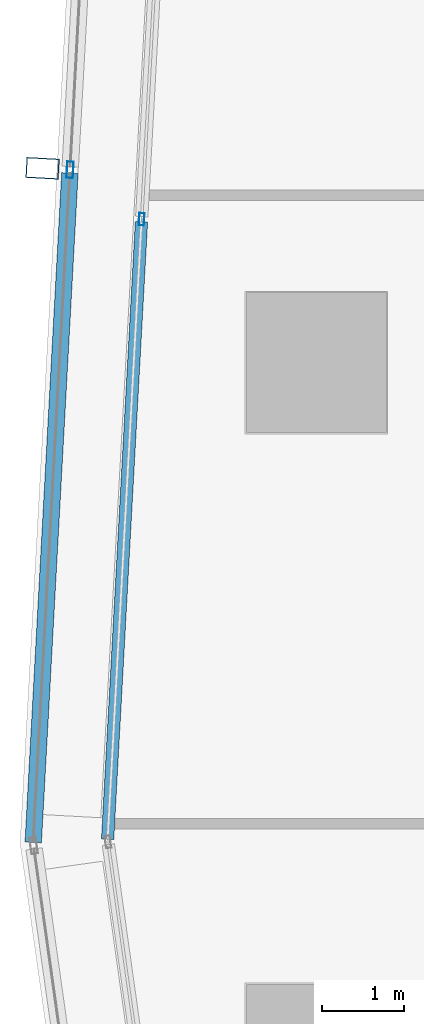
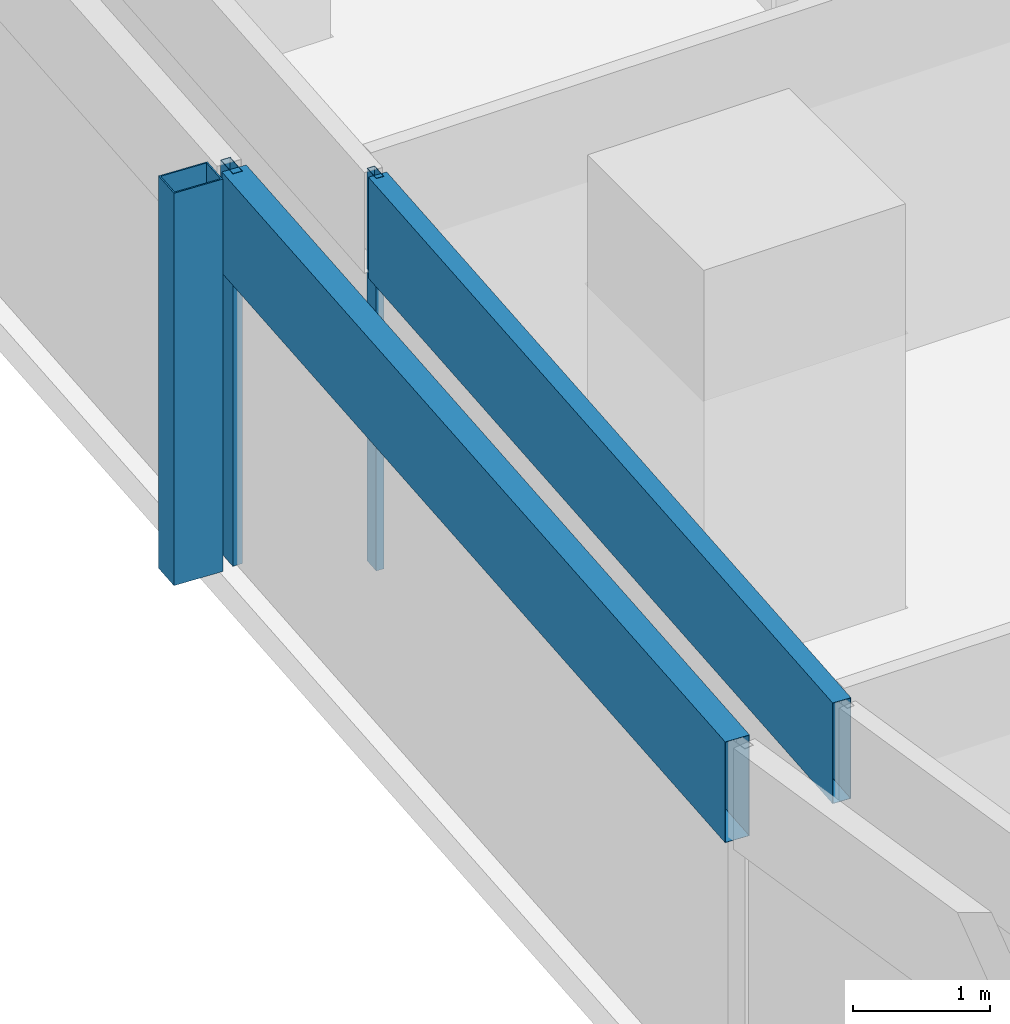
# One storey, part 7 of 40: 5 members, 2 elements without a shape of their own.
"""IFC4 building model written with IfcOpenShell, lengths in metres."""

from ifc_helpers import new_model, si_unit, direction, frame, origin, origin_2d, place, context, subcontext, project, spatial, hollow_rectangle, extrude, material, material_profile, profile_set, type_object, element, aggregate, save


model = new_model("IFC4")

# Units and contexts
model_context = context("Model", 3, precision=1e-05, world=origin(), true_north=direction((0.0, 1.0)))
body_context = subcontext(model_context, "Body", "Model", "MODEL_VIEW")
ifc_project = project(units=[si_unit("LENGTHUNIT", "METRE"), si_unit("AREAUNIT", "SQUARE_METRE"), si_unit("VOLUMEUNIT", "CUBIC_METRE"), si_unit("PLANEANGLEUNIT", "RADIAN"), si_unit("MASSUNIT", "GRAM", prefix="KILO")], contexts=[model_context])

# Site, building, storey
site_placement = place(None, origin())
site = spatial("IfcSite", under=ifc_project, at=site_placement, CompositionType="ELEMENT")
building_placement = place(site_placement, origin())
building = spatial("IfcBuilding", under=site, at=building_placement, Name="Rekha Terrace Tower", CompositionType="ELEMENT")
storey_placement = place(building_placement, frame((0.0, 0.0, 140.300048828125)))
storey = spatial("IfcBuildingStorey", under=building, at=storey_placement, Name="L35", CompositionType="ELEMENT", Elevation=140.300048828125)

# Curtain wall, member
ifc_material_1 = material(Name="Aluminium framing", Category="aluminium")
curtain_wall_type_1 = type_object("IfcCurtainWallType", Name="CW2 double skin outer glazing", PredefinedType="USERDEFINED", material=ifc_material_1)
curtain_wall_1_placement = place(storey_placement, origin())
curtain_wall_1 = element("IfcCurtainWall", 1, at=curtain_wall_1_placement, inside=storey, type_object=curtain_wall_type_1, Name="CW2 double skin outer glazing", ObjectType="DOUBLE SKIN OUTER GLAZING", PredefinedType="USERDEFINED")
ifc_material_2 = material(Name="Steel S355 with fluorocarbon finish", Category="steel")
ifc_material_profile_1 = material_profile(ifc_material_2, hollow_rectangle(XDim=0.25, YDim=0.39990234375, WallThickness=0.012451171875, at=origin_2d()), Name="RHS400x250x12.5")
ifc_profile_set_1 = profile_set([ifc_material_profile_1], Name="Steel S355 with fluorocarbon finish")
member_type_1 = type_object("IfcMemberType", Name="BL1 facade blade RHS 400 x 250", PredefinedType="USERDEFINED", material=ifc_profile_set_1)
member_1_placement = place(storey_placement, frame((5.073974609375, 35.9609375, 0.0), z_axis=(0.0, 0.0, 1.0), x_axis=(-0.054742798353, -0.998500488747, 0.0)))
member_1 = element("IfcMember", 2, at=member_1_placement, type_object=member_type_1, Name="Facade blade", ObjectType="FACADE BLADE", PredefinedType="USERDEFINED", context=body_context, shape_type="SweptSolid", body=[
    extrude(hollow_rectangle(XDim=0.25, YDim=0.39990234375, WallThickness=0.012451171875, at=origin_2d()), origin(), (0.0, 0.0, 1.0), 3.5),
])

# Curtain wall, members
curtain_wall_type_2 = type_object("IfcCurtainWallType", Name="CW1 double skin inner glazing", PredefinedType="USERDEFINED", material=ifc_material_1)
curtain_wall_2_placement = place(storey_placement, origin())
curtain_wall_2 = element("IfcCurtainWall", 3, at=curtain_wall_2_placement, inside=storey, type_object=curtain_wall_type_2, Name="CW1 double skin inner glazing", ObjectType="DOUBLE SKIN INNER GLAZING", PredefinedType="USERDEFINED")
ifc_material_3 = material(Name="Aluminium mullion section", Category="aluminium")
ifc_material_profile_2 = material_profile(ifc_material_3, hollow_rectangle(XDim=0.06494140625, YDim=0.14990234375, WallThickness=0.00390625, at=origin_2d()), Name="AL RHS 65x150")
ifc_profile_set_2 = profile_set([ifc_material_profile_2], Name="Aluminium mullion section")
member_type_2 = type_object("IfcMemberType", Name="CW1 mullion RHS 65 x 150", PredefinedType="MULLION", material=ifc_profile_set_2)
member_2_placement = place(storey_placement, frame((6.27685546875, 35.343017578125, 0.0), z_axis=(0.0, 0.0, 1.0), x_axis=(0.99850051318, -0.054742352707, 0.0)))
member_2 = element("IfcMember", 4, at=member_2_placement, type_object=member_type_2, Name="CW1 mullion 4", PredefinedType="MULLION", context=body_context, shape_type="SweptSolid", body=[
    extrude(hollow_rectangle(XDim=0.06494140625, YDim=0.14990234375, WallThickness=0.00390625, at=origin_2d()), origin(), (0.0, 0.0, 1.0), 3.5),
])
ifc_material_4 = material(Name="Insulated aluminium spandrel box", Category="aluminium")
ifc_material_profile_3 = material_profile(ifc_material_4, hollow_rectangle(XDim=0.14990234375, YDim=0.89990234375, WallThickness=0.0029296875, at=origin_2d()), Name="AL SPANDREL BOX 150x900")
ifc_profile_set_3 = profile_set([ifc_material_profile_3], Name="Insulated aluminium spandrel box")
member_type_3 = type_object("IfcMemberType", Name="CW1 spandrel transom 150 x 900", PredefinedType="USERDEFINED", material=ifc_profile_set_3)
member_3_placement = place(storey_placement, frame((6.275146484375, 35.310546875, 3.050048828125), z_axis=(-0.054756855706, -0.998499717953, 0.0), x_axis=(0.998499717953, -0.054756855706, 0.0)))
member_3 = element("IfcMember", 5, at=member_3_placement, type_object=member_type_3, Name="CW1 spandrel transom 4", ObjectType="TRANSOM", PredefinedType="USERDEFINED", context=body_context, shape_type="SweptSolid", body=[
    extrude(hollow_rectangle(XDim=0.14990234375, YDim=0.89990234375, WallThickness=0.0029296875, at=origin_2d()), origin(), (0.0, 0.0, 1.0), 7.50830078125),
])
aggregate(curtain_wall_2, [member_2, member_3])

# Member
ifc_material_profile_4 = material_profile(ifc_material_3, hollow_rectangle(XDim=0.080078125, YDim=0.199951171875, WallThickness=0.00390625, at=origin_2d()), Name="AL RHS 80x200")
ifc_profile_set_4 = profile_set([ifc_material_profile_4], Name="Aluminium mullion section")
member_type_4 = type_object("IfcMemberType", Name="CW2 mullion RHS 80 x 200", PredefinedType="MULLION", material=ifc_profile_set_4)
member_4_placement = place(storey_placement, frame((5.408447265625, 35.942626953125, 0.0), z_axis=(0.0, 0.0, 1.0), x_axis=(0.99850051318, -0.054742352707, 0.0)))
member_4 = element("IfcMember", 6, at=member_4_placement, type_object=member_type_4, Name="CW2 mullion 4", PredefinedType="MULLION", context=body_context, shape_type="SweptSolid", body=[
    extrude(hollow_rectangle(XDim=0.080078125, YDim=0.199951171875, WallThickness=0.00390625, at=origin_2d()), origin(), (0.0, 0.0, 1.0), 3.5),
])

ifc_material_profile_5 = material_profile(ifc_material_4, hollow_rectangle(XDim=0.199951171875, YDim=0.89990234375, WallThickness=0.0029296875, at=origin_2d()), Name="AL SPANDREL BOX 200x900")
ifc_profile_set_5 = profile_set([ifc_material_profile_5], Name="Insulated aluminium spandrel box")
member_type_5 = type_object("IfcMemberType", Name="CW2 spandrel transom 200 x 900", PredefinedType="USERDEFINED", material=ifc_profile_set_5)
member_5_placement = place(storey_placement, frame((5.40625, 35.902587890625, 3.050048828125), z_axis=(-0.054737434401, -0.998500782812, 0.0), x_axis=(0.998500782812, -0.054737434401, 0.0)))
member_5 = element("IfcMember", 7, at=member_5_placement, type_object=member_type_5, Name="CW2 spandrel transom 4", ObjectType="TRANSOM", PredefinedType="USERDEFINED", context=body_context, shape_type="SweptSolid", body=[
    extrude(hollow_rectangle(XDim=0.199951171875, YDim=0.89990234375, WallThickness=0.0029296875, at=origin_2d()), origin(), (0.0, 0.0, 1.0), 8.139892578125),
])

aggregate(curtain_wall_1, [member_4, member_5, member_1])

save(model, "model.ifc")
